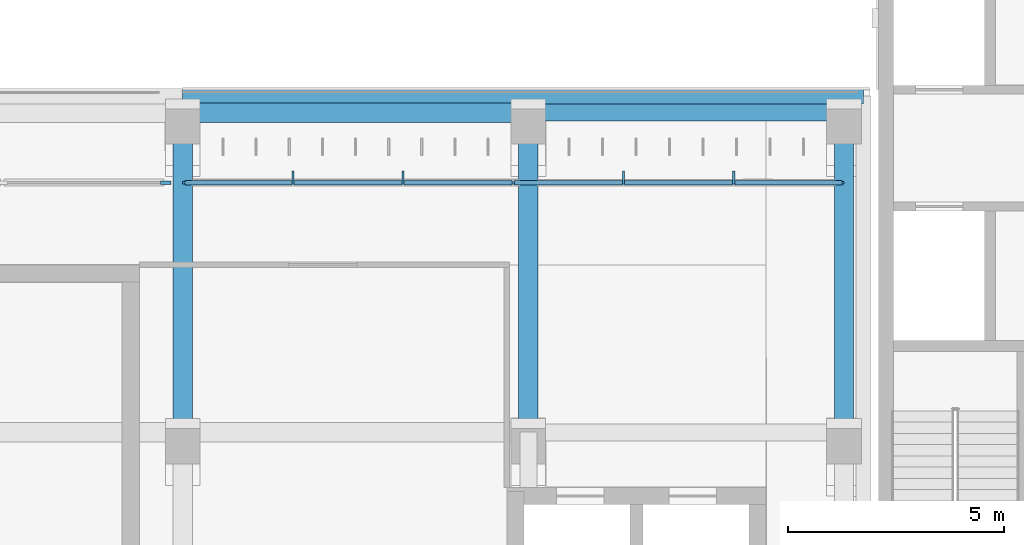
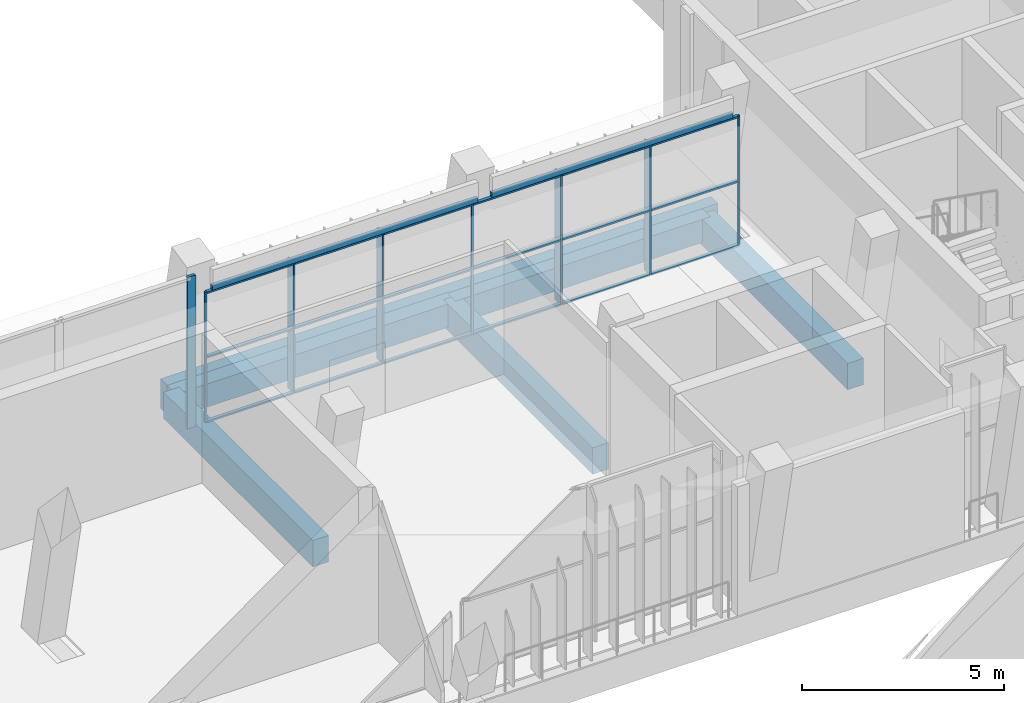
# One storey, part 19 of 89: 26 members, 8 beams, 2 elements without a shape of their own.
"""IFC4 building model written with IfcOpenShell, lengths in metres."""

from ifc_helpers import new_model, si_unit, direction, frame, origin, origin_2d, place, context, subcontext, project, spatial, rectangle, hollow_rectangle, extrude, material, material_profile, profile_set, type_object, element, aggregate, save


model = new_model("IFC4")

# Units and contexts
model_context = context("Model", 3, precision=1e-05, world=origin(), true_north=direction((0.0, 1.0)))
body_context = subcontext(model_context, "Body", "Model", "MODEL_VIEW")
ifc_project = project(units=[si_unit("LENGTHUNIT", "METRE"), si_unit("AREAUNIT", "SQUARE_METRE"), si_unit("VOLUMEUNIT", "CUBIC_METRE"), si_unit("PLANEANGLEUNIT", "RADIAN"), si_unit("MASSUNIT", "GRAM", prefix="KILO")], contexts=[model_context])

# Site, building, storey
site_placement = place(None, origin())
site = spatial("IfcSite", under=ifc_project, at=site_placement, CompositionType="ELEMENT")
building_placement = place(site_placement, origin())
building = spatial("IfcBuilding", under=site, at=building_placement, Name="Lantern Court Media Centre", CompositionType="ELEMENT")
storey_placement = place(building_placement, frame((0.0, 0.0, 14.39990234375)))
storey = spatial("IfcBuildingStorey", under=building, at=storey_placement, Name="L03", CompositionType="ELEMENT", Elevation=14.39990234375)

# Curtain wall, members
ifc_material_1 = material(Name="Curtain wall bay 2400")
curtain_wall_type_1 = type_object("IfcCurtainWallType", Name="Curtain wall bay 2400", PredefinedType="NOTDEFINED", material=ifc_material_1)
curtain_wall_1_placement = place(storey_placement, origin())
curtain_wall_1 = element("IfcCurtainWall", 1, at=curtain_wall_1_placement, inside=storey, type_object=curtain_wall_type_1, Name="Curtain wall S inner L03", PredefinedType="NOTDEFINED")
ifc_material_2 = material(Name="Anodised aluminium", Category="aluminium")
ifc_material_profile_1 = material_profile(ifc_material_2, rectangle(XDim=0.300048828125, YDim=0.050048828125, at=origin_2d()), Name="AL 50x300")
ifc_profile_set_1 = profile_set([ifc_material_profile_1], Name="Anodised aluminium")
member_type_1 = type_object("IfcMemberType", Name="Curtain wall mullion 50x300", PredefinedType="MULLION", material=ifc_profile_set_1)
member_1_placement = place(storey_placement, frame((66.550048828125, 58.969970703125, 0.0), z_axis=(0.0, 0.0, 1.0), x_axis=(0.0, 1.0, 0.0)))
member_1 = element("IfcMember", 2, at=member_1_placement, type_object=member_type_1, Name="CW2 mullion 2", PredefinedType="MULLION", context=body_context, shape_type="SweptSolid", body=[
    extrude(rectangle(XDim=0.300048828125, YDim=0.050048828125, at=origin_2d()), origin(), (0.0, 0.0, 1.0), 3.9501953125),
])
member_2_placement = place(storey_placement, frame((69.10009765625, 58.969970703125, 0.0), z_axis=(0.0, 0.0, 1.0), x_axis=(0.0, 1.0, 0.0)))
member_2 = element("IfcMember", 3, at=member_2_placement, type_object=member_type_1, Name="CW2 mullion 3", PredefinedType="MULLION", context=body_context, shape_type="SweptSolid", body=[
    extrude(rectangle(XDim=0.300048828125, YDim=0.050048828125, at=origin_2d()), origin(), (0.0, 0.0, 1.0), 3.9501953125),
])
member_3_placement = place(storey_placement, frame((74.199951171875, 58.969970703125, 0.0), z_axis=(0.0, 0.0, 1.0), x_axis=(0.0, 1.0, 0.0)))
member_3 = element("IfcMember", 4, at=member_3_placement, type_object=member_type_1, Name="CW2 mullion 5", PredefinedType="MULLION", context=body_context, shape_type="SweptSolid", body=[
    extrude(rectangle(XDim=0.300048828125, YDim=0.050048828125, at=origin_2d()), origin(), (0.0, 0.0, 1.0), 3.9501953125),
])
member_4_placement = place(storey_placement, frame((76.75, 58.969970703125, 0.0), z_axis=(0.0, 0.0, 1.0), x_axis=(0.0, 1.0, 0.0)))
member_4 = element("IfcMember", 5, at=member_4_placement, type_object=member_type_1, Name="CW2 mullion 6", PredefinedType="MULLION", context=body_context, shape_type="SweptSolid", body=[
    extrude(rectangle(XDim=0.300048828125, YDim=0.050048828125, at=origin_2d()), origin(), (0.0, 0.0, 1.0), 3.9501953125),
])
ifc_material_profile_2 = material_profile(ifc_material_2, rectangle(XDim=0.06005859375, YDim=0.050048828125, at=origin_2d()), Name="AL 50x60")
ifc_profile_set_2 = profile_set([ifc_material_profile_2], Name="Anodised aluminium")
member_type_2 = type_object("IfcMemberType", Name="Curtain wall mullion 50x60", PredefinedType="MULLION", material=ifc_profile_set_2)
member_5_placement = place(storey_placement, frame((64.02490234375, 58.85009765625, 0.0), z_axis=(0.0, 0.0, 1.0), x_axis=(0.0, 1.0, 0.0)))
member_5 = element("IfcMember", 6, at=member_5_placement, type_object=member_type_2, Name="CW2 mullion 1", PredefinedType="MULLION", context=body_context, shape_type="SweptSolid", body=[
    extrude(rectangle(XDim=0.06005859375, YDim=0.050048828125, at=origin_2d()), origin(), (0.0, 0.0, 1.0), 3.9501953125),
])
member_6_placement = place(storey_placement, frame((71.64990234375, 58.85009765625, 0.0), z_axis=(0.0, 0.0, 1.0), x_axis=(0.0, 1.0, 0.0)))
member_6 = element("IfcMember", 7, at=member_6_placement, type_object=member_type_2, Name="CW2 mullion 4", PredefinedType="MULLION", context=body_context, shape_type="SweptSolid", body=[
    extrude(rectangle(XDim=0.06005859375, YDim=0.050048828125, at=origin_2d()), origin(), (0.0, 0.0, 1.0), 3.9501953125),
])
member_7_placement = place(storey_placement, frame((79.27490234375, 58.85009765625, 0.0), z_axis=(0.0, 0.0, 1.0), x_axis=(0.0, 1.0, 0.0)))
member_7 = element("IfcMember", 8, at=member_7_placement, type_object=member_type_2, Name="CW2 mullion 7", PredefinedType="MULLION", context=body_context, shape_type="SweptSolid", body=[
    extrude(rectangle(XDim=0.06005859375, YDim=0.050048828125, at=origin_2d()), origin(), (0.0, 0.0, 1.0), 3.9501953125),
])

# Curtain wall, member
ifc_material_3 = material(Name="Curtain wall bay 4000")
curtain_wall_type_2 = type_object("IfcCurtainWallType", Name="Curtain wall bay 4000", PredefinedType="NOTDEFINED", material=ifc_material_3)
curtain_wall_2_placement = place(storey_placement, origin())
curtain_wall_2 = element("IfcCurtainWall", 9, at=curtain_wall_2_placement, inside=storey, type_object=curtain_wall_type_2, Name="Curtain wall S inner L03", PredefinedType="NOTDEFINED")
ifc_material_profile_3 = material_profile(ifc_material_2, rectangle(XDim=0.080078125, YDim=0.239990234375, at=origin_2d()), Name="AL 80x240")
ifc_profile_set_3 = profile_set([ifc_material_profile_3], Name="Anodised aluminium")
member_type_3 = type_object("IfcMemberType", Name="Curtain wall mullion 80x240", PredefinedType="MULLION", material=ifc_profile_set_3)
member_8_placement = place(storey_placement, frame((63.610107421875, 58.85009765625, 0.0), z_axis=(0.0, 0.0, 1.0), x_axis=(0.0, 1.0, 0.0)))
member_8 = element("IfcMember", 10, at=member_8_placement, type_object=member_type_3, Name="CW3 mullion 3", PredefinedType="MULLION", context=body_context, shape_type="SweptSolid", body=[
    extrude(rectangle(XDim=0.080078125, YDim=0.239990234375, at=origin_2d()), origin(), (0.0, 0.0, 1.0), 4.580078125),
])
aggregate(curtain_wall_2, [member_8])

# Member
ifc_material_profile_4 = material_profile(ifc_material_2, rectangle(XDim=0.10009765625, YDim=0.050048828125, at=origin_2d()), Name="AL 50x100")
ifc_profile_set_4 = profile_set([ifc_material_profile_4], Name="Anodised aluminium")
member_type_4 = type_object("IfcMemberType", Name="Curtain wall transom 100x50", PredefinedType="USERDEFINED", material=ifc_profile_set_4)
member_9_placement = place(storey_placement, frame((64.050048828125, 58.85009765625, 0.025146484375), z_axis=(1.0, 0.0, 0.0), x_axis=(0.0, 1.0, 0.0)))
member_9 = element("IfcMember", 11, at=member_9_placement, type_object=member_type_4, Name="CW2 transom 1.1", ObjectType="TRANSOM", PredefinedType="USERDEFINED", context=body_context, shape_type="SweptSolid", body=[
    extrude(rectangle(XDim=0.10009765625, YDim=0.050048828125, at=origin_2d()), origin(), (0.0, 0.0, 1.0), 2.474853515625),
])

member_10_placement = place(storey_placement, frame((64.050048828125, 58.85009765625, 1.97509765625), z_axis=(1.0, 0.0, 0.0), x_axis=(0.0, 1.0, 0.0)))
member_10 = element("IfcMember", 12, at=member_10_placement, type_object=member_type_4, Name="CW2 transom 1.2", ObjectType="TRANSOM", PredefinedType="USERDEFINED", context=body_context, shape_type="SweptSolid", body=[
    extrude(rectangle(XDim=0.10009765625, YDim=0.050048828125, at=origin_2d()), origin(), (0.0, 0.0, 1.0), 2.474853515625),
])

member_11_placement = place(storey_placement, frame((64.050048828125, 58.85009765625, 3.925048828125), z_axis=(1.0, 0.0, 0.0), x_axis=(0.0, 1.0, 0.0)))
member_11 = element("IfcMember", 13, at=member_11_placement, type_object=member_type_4, Name="CW2 transom 1.3", ObjectType="TRANSOM", PredefinedType="USERDEFINED", context=body_context, shape_type="SweptSolid", body=[
    extrude(rectangle(XDim=0.10009765625, YDim=0.050048828125, at=origin_2d()), origin(), (0.0, 0.0, 1.0), 2.474853515625),
])

member_12_placement = place(storey_placement, frame((66.574951171875, 58.85009765625, 0.025146484375), z_axis=(1.0, 0.0, 0.0), x_axis=(0.0, 1.0, 0.0)))
member_12 = element("IfcMember", 14, at=member_12_placement, type_object=member_type_4, Name="CW2 transom 2.1", ObjectType="TRANSOM", PredefinedType="USERDEFINED", context=body_context, shape_type="SweptSolid", body=[
    extrude(rectangle(XDim=0.10009765625, YDim=0.050048828125, at=origin_2d()), origin(), (0.0, 0.0, 1.0), 2.5),
])

member_13_placement = place(storey_placement, frame((66.574951171875, 58.85009765625, 1.97509765625), z_axis=(1.0, 0.0, 0.0), x_axis=(0.0, 1.0, 0.0)))
member_13 = element("IfcMember", 15, at=member_13_placement, type_object=member_type_4, Name="CW2 transom 2.2", ObjectType="TRANSOM", PredefinedType="USERDEFINED", context=body_context, shape_type="SweptSolid", body=[
    extrude(rectangle(XDim=0.10009765625, YDim=0.050048828125, at=origin_2d()), origin(), (0.0, 0.0, 1.0), 2.5),
])

member_14_placement = place(storey_placement, frame((66.574951171875, 58.85009765625, 3.925048828125), z_axis=(1.0, 0.0, 0.0), x_axis=(0.0, 1.0, 0.0)))
member_14 = element("IfcMember", 16, at=member_14_placement, type_object=member_type_4, Name="CW2 transom 2.3", ObjectType="TRANSOM", PredefinedType="USERDEFINED", context=body_context, shape_type="SweptSolid", body=[
    extrude(rectangle(XDim=0.10009765625, YDim=0.050048828125, at=origin_2d()), origin(), (0.0, 0.0, 1.0), 2.5),
])

member_15_placement = place(storey_placement, frame((69.125, 58.85009765625, 0.025146484375), z_axis=(1.0, 0.0, 0.0), x_axis=(0.0, 1.0, 0.0)))
member_15 = element("IfcMember", 17, at=member_15_placement, type_object=member_type_4, Name="CW2 transom 3.1", ObjectType="TRANSOM", PredefinedType="USERDEFINED", context=body_context, shape_type="SweptSolid", body=[
    extrude(rectangle(XDim=0.10009765625, YDim=0.050048828125, at=origin_2d()), origin(), (0.0, 0.0, 1.0), 2.5),
])

member_16_placement = place(storey_placement, frame((69.125, 58.85009765625, 1.97509765625), z_axis=(1.0, 0.0, 0.0), x_axis=(0.0, 1.0, 0.0)))
member_16 = element("IfcMember", 18, at=member_16_placement, type_object=member_type_4, Name="CW2 transom 3.2", ObjectType="TRANSOM", PredefinedType="USERDEFINED", context=body_context, shape_type="SweptSolid", body=[
    extrude(rectangle(XDim=0.10009765625, YDim=0.050048828125, at=origin_2d()), origin(), (0.0, 0.0, 1.0), 2.5),
])

member_17_placement = place(storey_placement, frame((69.125, 58.85009765625, 3.925048828125), z_axis=(1.0, 0.0, 0.0), x_axis=(0.0, 1.0, 0.0)))
member_17 = element("IfcMember", 19, at=member_17_placement, type_object=member_type_4, Name="CW2 transom 3.3", ObjectType="TRANSOM", PredefinedType="USERDEFINED", context=body_context, shape_type="SweptSolid", body=[
    extrude(rectangle(XDim=0.10009765625, YDim=0.050048828125, at=origin_2d()), origin(), (0.0, 0.0, 1.0), 2.5),
])

member_18_placement = place(storey_placement, frame((71.675048828125, 58.85009765625, 0.025146484375), z_axis=(1.0, 0.0, 0.0), x_axis=(0.0, 1.0, 0.0)))
member_18 = element("IfcMember", 20, at=member_18_placement, type_object=member_type_4, Name="CW2 transom 4.1", ObjectType="TRANSOM", PredefinedType="USERDEFINED", context=body_context, shape_type="SweptSolid", body=[
    extrude(rectangle(XDim=0.10009765625, YDim=0.050048828125, at=origin_2d()), origin(), (0.0, 0.0, 1.0), 2.5),
])

member_19_placement = place(storey_placement, frame((71.675048828125, 58.85009765625, 1.97509765625), z_axis=(1.0, 0.0, 0.0), x_axis=(0.0, 1.0, 0.0)))
member_19 = element("IfcMember", 21, at=member_19_placement, type_object=member_type_4, Name="CW2 transom 4.2", ObjectType="TRANSOM", PredefinedType="USERDEFINED", context=body_context, shape_type="SweptSolid", body=[
    extrude(rectangle(XDim=0.10009765625, YDim=0.050048828125, at=origin_2d()), origin(), (0.0, 0.0, 1.0), 2.5),
])

member_20_placement = place(storey_placement, frame((71.675048828125, 58.85009765625, 3.925048828125), z_axis=(1.0, 0.0, 0.0), x_axis=(0.0, 1.0, 0.0)))
member_20 = element("IfcMember", 22, at=member_20_placement, type_object=member_type_4, Name="CW2 transom 4.3", ObjectType="TRANSOM", PredefinedType="USERDEFINED", context=body_context, shape_type="SweptSolid", body=[
    extrude(rectangle(XDim=0.10009765625, YDim=0.050048828125, at=origin_2d()), origin(), (0.0, 0.0, 1.0), 2.5),
])

member_21_placement = place(storey_placement, frame((74.22509765625, 58.85009765625, 0.025146484375), z_axis=(1.0, 0.0, 0.0), x_axis=(0.0, 1.0, 0.0)))
member_21 = element("IfcMember", 23, at=member_21_placement, type_object=member_type_4, Name="CW2 transom 5.1", ObjectType="TRANSOM", PredefinedType="USERDEFINED", context=body_context, shape_type="SweptSolid", body=[
    extrude(rectangle(XDim=0.10009765625, YDim=0.050048828125, at=origin_2d()), origin(), (0.0, 0.0, 1.0), 2.5),
])

member_22_placement = place(storey_placement, frame((74.22509765625, 58.85009765625, 1.97509765625), z_axis=(1.0, 0.0, 0.0), x_axis=(0.0, 1.0, 0.0)))
member_22 = element("IfcMember", 24, at=member_22_placement, type_object=member_type_4, Name="CW2 transom 5.2", ObjectType="TRANSOM", PredefinedType="USERDEFINED", context=body_context, shape_type="SweptSolid", body=[
    extrude(rectangle(XDim=0.10009765625, YDim=0.050048828125, at=origin_2d()), origin(), (0.0, 0.0, 1.0), 2.5),
])

member_23_placement = place(storey_placement, frame((74.22509765625, 58.85009765625, 3.925048828125), z_axis=(1.0, 0.0, 0.0), x_axis=(0.0, 1.0, 0.0)))
member_23 = element("IfcMember", 25, at=member_23_placement, type_object=member_type_4, Name="CW2 transom 5.3", ObjectType="TRANSOM", PredefinedType="USERDEFINED", context=body_context, shape_type="SweptSolid", body=[
    extrude(rectangle(XDim=0.10009765625, YDim=0.050048828125, at=origin_2d()), origin(), (0.0, 0.0, 1.0), 2.5),
])

member_24_placement = place(storey_placement, frame((76.77490234375, 58.85009765625, 0.025146484375), z_axis=(1.0, 0.0, 0.0), x_axis=(0.0, 1.0, 0.0)))
member_24 = element("IfcMember", 26, at=member_24_placement, type_object=member_type_4, Name="CW2 transom 6.1", ObjectType="TRANSOM", PredefinedType="USERDEFINED", context=body_context, shape_type="SweptSolid", body=[
    extrude(rectangle(XDim=0.10009765625, YDim=0.050048828125, at=origin_2d()), origin(), (0.0, 0.0, 1.0), 2.47509765625),
])

member_25_placement = place(storey_placement, frame((76.77490234375, 58.85009765625, 1.97509765625), z_axis=(1.0, 0.0, 0.0), x_axis=(0.0, 1.0, 0.0)))
member_25 = element("IfcMember", 27, at=member_25_placement, type_object=member_type_4, Name="CW2 transom 6.2", ObjectType="TRANSOM", PredefinedType="USERDEFINED", context=body_context, shape_type="SweptSolid", body=[
    extrude(rectangle(XDim=0.10009765625, YDim=0.050048828125, at=origin_2d()), origin(), (0.0, 0.0, 1.0), 2.47509765625),
])

member_26_placement = place(storey_placement, frame((76.77490234375, 58.85009765625, 3.925048828125), z_axis=(1.0, 0.0, 0.0), x_axis=(0.0, 1.0, 0.0)))
member_26 = element("IfcMember", 28, at=member_26_placement, type_object=member_type_4, Name="CW2 transom 6.3", ObjectType="TRANSOM", PredefinedType="USERDEFINED", context=body_context, shape_type="SweptSolid", body=[
    extrude(rectangle(XDim=0.10009765625, YDim=0.050048828125, at=origin_2d()), origin(), (0.0, 0.0, 1.0), 2.47509765625),
])

aggregate(curtain_wall_1, [member_5, member_1, member_2, member_6, member_3, member_4, member_7, member_9, member_10, member_11, member_12, member_13, member_14, member_15, member_16, member_17, member_18, member_19, member_20, member_21, member_22, member_23, member_24, member_25, member_26])

# Beams
ifc_material_4 = material(Name="Steel S355J2 (EN 10025-2)", Category="steel")
ifc_material_profile_5 = material_profile(ifc_material_4, hollow_rectangle(XDim=0.10009765625, YDim=0.14990234375, WallThickness=0.00634765625, InnerFilletRadius=0.00634765625, OuterFilletRadius=0.009521484375, at=origin_2d()), Name="Facade head lintel RHS 150x100x6.3")
ifc_profile_set_5 = profile_set([ifc_material_profile_5], Name="Steel S355J2 (EN 10025-2)")
beam_type_1 = type_object("IfcBeamType", Name="Facade head lintel RHS 150x100x6.3", PredefinedType="BEAM", material=ifc_profile_set_5)
beam_1_placement = place(storey_placement, frame((64.199951171875, 58.85009765625, 4.025146484375), z_axis=(1.0, 0.0, 0.0), x_axis=(0.0, 1.0, 0.0)))
element("IfcBeam", 29, at=beam_1_placement, inside=storey, type_object=beam_type_1, Name="Facade head lintel S L03", PredefinedType="BEAM", context=body_context, shape_type="SweptSolid", body=[
    extrude(hollow_rectangle(XDim=0.10009765625, YDim=0.14990234375, WallThickness=0.00634765625, InnerFilletRadius=0.00634765625, OuterFilletRadius=0.009521484375, at=origin_2d()), origin(), (0.0, 0.0, 1.0), 7.60009765625),
])
beam_2_placement = place(storey_placement, frame((72.199951171875, 58.85009765625, 4.025146484375), z_axis=(1.0, 0.0, 0.0), x_axis=(0.0, 1.0, 0.0)))
element("IfcBeam", 30, at=beam_2_placement, inside=storey, type_object=beam_type_1, Name="Facade head lintel S L03", PredefinedType="BEAM", context=body_context, shape_type="SweptSolid", body=[
    extrude(hollow_rectangle(XDim=0.10009765625, YDim=0.14990234375, WallThickness=0.00634765625, InnerFilletRadius=0.00634765625, OuterFilletRadius=0.009521484375, at=origin_2d()), origin(), (0.0, 0.0, 1.0), 6.900146484375),
])
ifc_material_5 = material(Name="Concrete C35", Category="concrete")
ifc_material_profile_6 = material_profile(ifc_material_5, rectangle(XDim=0.35009765625, YDim=0.89990234375, at=origin_2d()), Name="RC 350x900")
ifc_profile_set_6 = profile_set([ifc_material_profile_6], Name="Concrete C35")
beam_type_2 = type_object("IfcBeamType", Name="RC BEAM 350x900", PredefinedType="BEAM", material=ifc_profile_set_6)
beam_3_placement = place(storey_placement, frame((64.0, 60.85009765625, -0.449951171875), z_axis=(1.0, 0.0, 0.0), x_axis=(0.0, 1.0, 0.0)))
element("IfcBeam", 31, at=beam_3_placement, inside=storey, type_object=beam_type_2, Name="EB-S-L03-B-2", PredefinedType="BEAM", context=body_context, shape_type="SweptSolid", body=[
    extrude(rectangle(XDim=0.35009765625, YDim=0.89990234375, at=origin_2d()), origin(), (0.0, 0.0, 1.0), 15.75),
])
ifc_material_profile_7 = material_profile(ifc_material_5, rectangle(XDim=0.39990234375, YDim=0.699951171875, at=origin_2d()), Name="RC 400x700")
ifc_profile_set_7 = profile_set([ifc_material_profile_7], Name="Concrete C35")
beam_type_3 = type_object("IfcBeamType", Name="RC BEAM 400x700", PredefinedType="BEAM", material=ifc_profile_set_7)
beam_4_placement = place(storey_placement, frame((72.0, 60.472900390625, -0.349853515625), z_axis=(1.0, 0.0, 0.0), x_axis=(0.0, 1.0, 0.0)))
element("IfcBeam", 32, at=beam_4_placement, inside=storey, type_object=beam_type_3, Name="LB-S-L03-2-6", PredefinedType="BEAM", context=body_context, shape_type="SweptSolid", body=[
    extrude(rectangle(XDim=0.39990234375, YDim=0.699951171875, at=origin_2d()), origin(), (0.0, 0.0, 1.0), 7.300048828125),
])
ifc_material_profile_8 = material_profile(ifc_material_5, rectangle(XDim=0.449951171875, YDim=0.699951171875, at=origin_2d()), Name="RC 450x700")
ifc_profile_set_8 = profile_set([ifc_material_profile_8], Name="Concrete C35")
beam_type_4 = type_object("IfcBeamType", Name="RC BEAM 450x700", PredefinedType="BEAM", material=ifc_profile_set_8)
beam_5_placement = place(storey_placement, frame((64.0, 60.472900390625, -0.349853515625), z_axis=(1.0, 0.0, 0.0), x_axis=(0.0, 1.0, 0.0)))
element("IfcBeam", 33, at=beam_5_placement, inside=storey, type_object=beam_type_4, Name="LB-S-L03-2-5", PredefinedType="BEAM", context=body_context, shape_type="SweptSolid", body=[
    extrude(rectangle(XDim=0.449951171875, YDim=0.699951171875, at=origin_2d()), origin(), (0.0, 0.0, 1.0), 8.0),
])
ifc_material_profile_9 = material_profile(ifc_material_5, rectangle(XDim=0.449951171875, YDim=0.800048828125, at=origin_2d()), Name="RC 450x800")
ifc_profile_set_9 = profile_set([ifc_material_profile_9], Name="Concrete C35")
beam_type_5 = type_object("IfcBeamType", Name="RC BEAM 450x800", PredefinedType="BEAM", material=ifc_profile_set_9)
for number, where, z_axis, x_axis, name in (
    (34, (64.0, 53.083251953125, -0.39990234375), (0.0, 1.0, 0.0), (-1.0, 0.0, 0.0), "TB-S-L03-5-2"),
    (35, (72.0, 53.083251953125, -0.39990234375), (0.0, 1.0, 0.0), (-1.0, 0.0, 0.0), "TB-S-L03-6-2"),
    (36, (79.300048828125, 53.083251953125, -0.39990234375), (0.0, 1.0, 0.0), (-1.0, 0.0, 0.0), "TB-S-L03-7-2"),
):
    element("IfcBeam", number, at=place(storey_placement, frame(where, z_axis=z_axis, x_axis=x_axis)), inside=storey, type_object=beam_type_5, Name=name, PredefinedType="BEAM", context=body_context, shape_type="SweptSolid", body=[
        extrude(rectangle(XDim=0.449951171875, YDim=0.800048828125, at=origin_2d()), origin(), (0.0, 0.0, 1.0), 7.400146484375),
    ])

save(model, "model.ifc")
